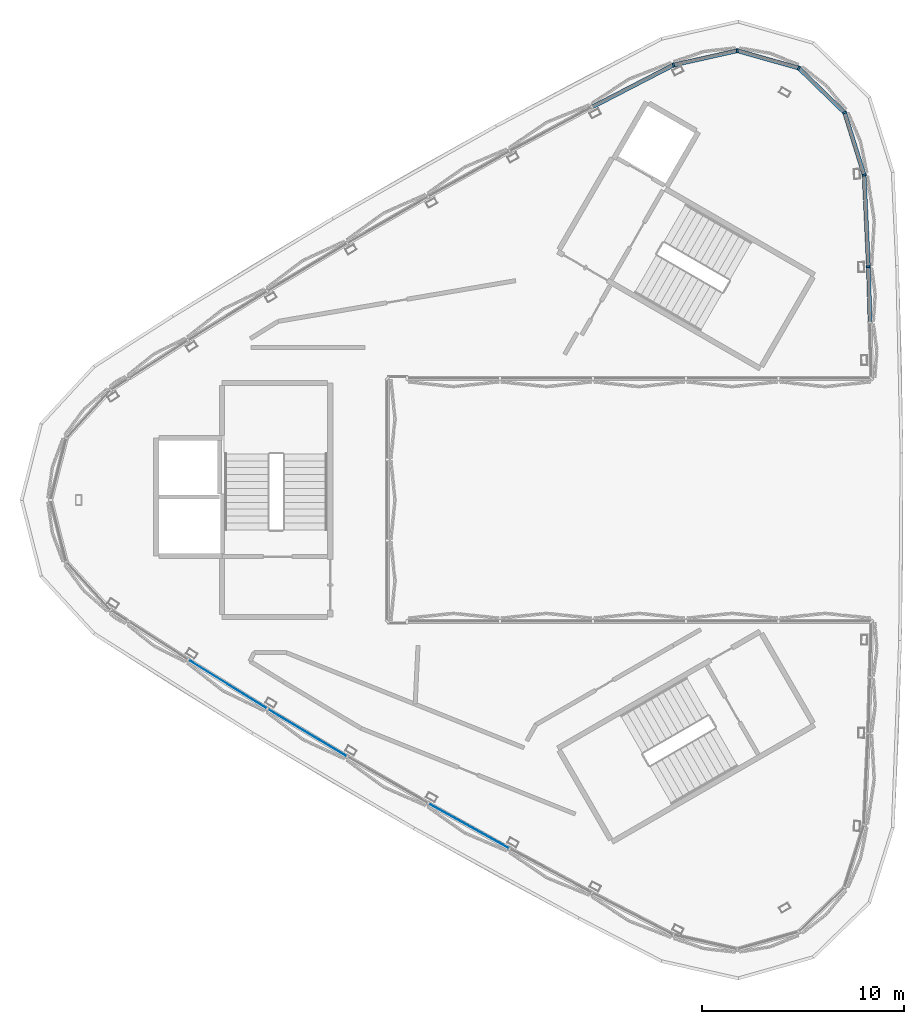
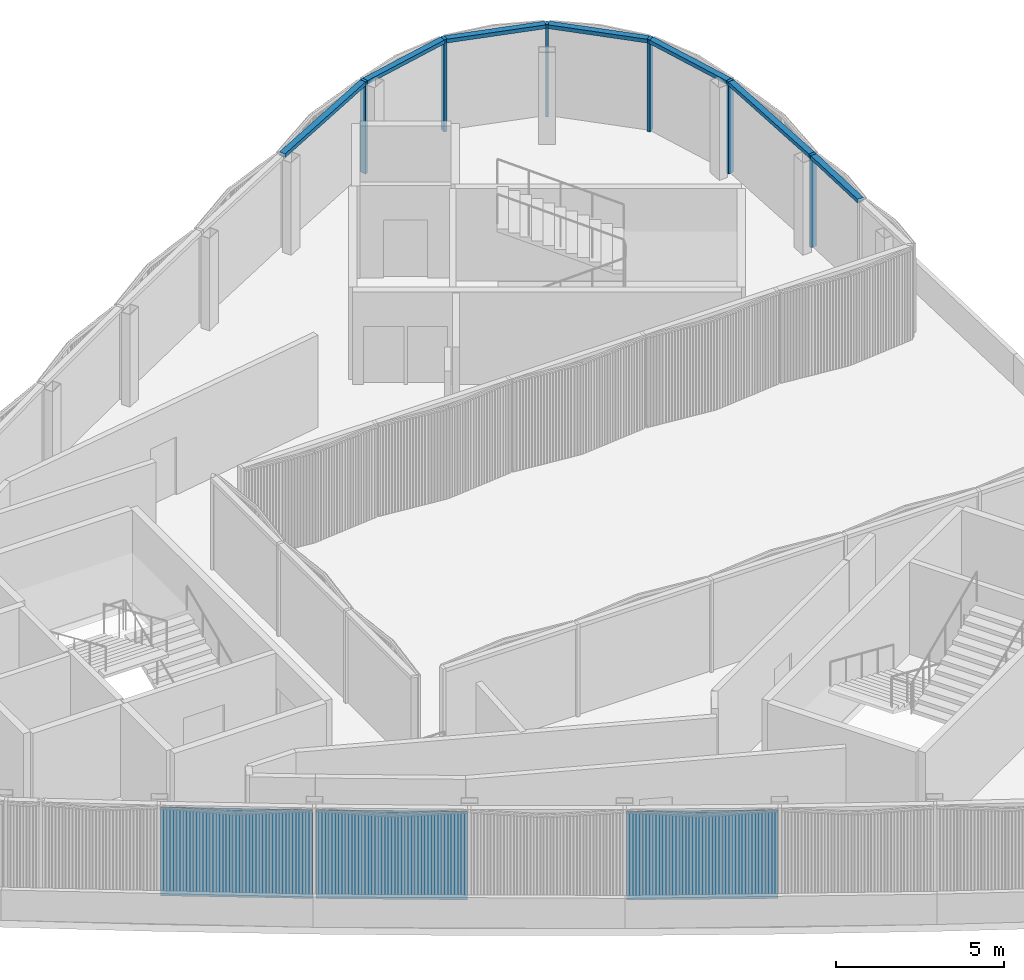
# One storey, part 5 of 16: 13 members, 3 plates, 2 elements without a shape of their own.
"""IFC4 building model written with IfcOpenShell, lengths in metres."""

from ifc_helpers import new_model, si_unit, direction, frame, origin, origin_2d, place, context, subcontext, project, spatial, rectangle, extrude, material, layer, layer_set, material_profile, profile_set, type_object, element, aggregate, save


model = new_model("IFC4")

# Units and contexts
model_context = context("Model", 3, precision=1e-05, world=origin(), true_north=direction((0.0, 1.0)))
body_context = subcontext(model_context, "Body", "Model", "MODEL_VIEW")
ifc_project = project(units=[si_unit("LENGTHUNIT", "METRE"), si_unit("AREAUNIT", "SQUARE_METRE"), si_unit("VOLUMEUNIT", "CUBIC_METRE"), si_unit("PLANEANGLEUNIT", "RADIAN"), si_unit("MASSUNIT", "GRAM", prefix="KILO")], contexts=[model_context])

# Site, building, storey
site_placement = place(None, origin())
site = spatial("IfcSite", under=ifc_project, at=site_placement, CompositionType="ELEMENT")
building_placement = place(site_placement, origin())
building = spatial("IfcBuilding", under=site, at=building_placement, Name="Tamra Quay Hotel Tower", CompositionType="ELEMENT")
storey_placement = place(building_placement, frame((0.0, 0.0, 320.60009765625)))
storey = spatial("IfcBuildingStorey", under=building, at=storey_placement, Name="Roof crown 1", CompositionType="ELEMENT", Elevation=320.60009765625)

# Curtain wall, members
ifc_material_1 = material(Name="Aluminium 6063 anodised dark grey", Category="aluminium")
curtain_wall_type = type_object("IfcCurtainWallType", Name="CW6 CURTAIN WALL", PredefinedType="NOTDEFINED", material=ifc_material_1)
curtain_wall_1_placement = place(storey_placement, origin())
curtain_wall_1 = element("IfcCurtainWall", 1, at=curtain_wall_1_placement, inside=storey, type_object=curtain_wall_type, Name="CW6 lantern A face Roof crown 1", PredefinedType="NOTDEFINED")
ifc_material_profile_1 = material_profile(ifc_material_1, rectangle(XDim=0.199951171875, YDim=0.10009765625, at=origin_2d()), Name="MULLION 100X200")
ifc_profile_set_1 = profile_set([ifc_material_profile_1], Name="Aluminium 6063 anodised dark grey")
member_type_1 = type_object("IfcMemberType", Name="MULLION CW6", PredefinedType="MULLION", material=ifc_profile_set_1)
member_1_placement = place(storey_placement, frame((15.767822265625, 11.528564453125, 0.0), z_axis=(0.0, 0.0, 1.0), x_axis=(0.999287700876, 0.037737128642, 0.0)))
member_1 = element("IfcMember", 2, at=member_1_placement, type_object=member_type_1, Name="CW6 mullion Roof crown 1.A.1", PredefinedType="MULLION", context=body_context, shape_type="SweptSolid", body=[
    extrude(rectangle(XDim=0.199951171875, YDim=0.10009765625, at=origin_2d()), origin(), (0.0, 0.0, 1.0), 3.349853515625),
])
member_2_placement = place(storey_placement, frame((15.555419921875, 16.063720703125, 0.0), z_axis=(0.0, 0.0, 1.0), x_axis=(0.984739916253, 0.174032460585, 0.0)))
member_2 = element("IfcMember", 3, at=member_2_placement, type_object=member_type_1, Name="CW6 mullion Roof crown 1.A.2", PredefinedType="MULLION", context=body_context, shape_type="SweptSolid", body=[
    extrude(rectangle(XDim=0.199951171875, YDim=0.10009765625, at=origin_2d()), origin(), (0.0, 0.0, 1.0), 3.349853515625),
])
member_3_placement = place(storey_placement, frame((14.5908203125, 19.149169921875, 0.0), z_axis=(0.0, 0.0, 1.0), x_axis=(0.851964184595, 0.523600065094, 0.0)))
member_3 = element("IfcMember", 4, at=member_3_placement, type_object=member_type_1, Name="CW6 mullion Roof crown 1.A.3", PredefinedType="MULLION", context=body_context, shape_type="SweptSolid", body=[
    extrude(rectangle(XDim=0.199951171875, YDim=0.10009765625, at=origin_2d()), origin(), (0.0, 0.0, 1.0), 3.349853515625),
])
member_4_placement = place(storey_placement, frame((12.3271484375, 21.351318359375, 0.0), z_axis=(0.0, 0.0, 1.0), x_axis=(0.5, 0.866025403784, 0.0)))
member_4 = element("IfcMember", 5, at=member_4_placement, type_object=member_type_1, Name="CW6 mullion Roof crown 1.A.4", PredefinedType="MULLION", context=body_context, shape_type="SweptSolid", body=[
    extrude(rectangle(XDim=0.199951171875, YDim=0.10009765625, at=origin_2d()), origin(), (0.0, 0.0, 1.0), 3.349853515625),
])
member_5_placement = place(storey_placement, frame((9.288330078125, 22.21044921875, 0.0), z_axis=(0.0, 0.0, 1.0), x_axis=(0.027468865497, 0.999622659521, 0.0)))
member_5 = element("IfcMember", 6, at=member_5_placement, type_object=member_type_1, Name="CW6 mullion Roof crown 1.A.5", PredefinedType="MULLION", context=body_context, shape_type="SweptSolid", body=[
    extrude(rectangle(XDim=0.199951171875, YDim=0.10009765625, at=origin_2d()), origin(), (0.0, 0.0, 1.0), 3.349853515625),
])
member_6_placement = place(storey_placement, frame((6.134033203125, 21.503173828125, 0.0), z_axis=(0.0, 0.0, 1.0), x_axis=(-0.341653426177, 0.939826013888, 0.0)))
member_6 = element("IfcMember", 7, at=member_6_placement, type_object=member_type_1, Name="CW6 mullion Roof crown 1.A.6", PredefinedType="MULLION", context=body_context, shape_type="SweptSolid", body=[
    extrude(rectangle(XDim=0.199951171875, YDim=0.10009765625, at=origin_2d()), origin(), (0.0, 0.0, 1.0), 3.349853515625),
])
ifc_material_profile_2 = material_profile(ifc_material_1, rectangle(XDim=0.199951171875, YDim=0.139892578125, at=origin_2d()), Name="TRANSOM 200X140")
ifc_profile_set_2 = profile_set([ifc_material_profile_2], Name="Aluminium 6063 anodised dark grey")
member_type_2 = type_object("IfcMemberType", Name="TRANSOM CW6", PredefinedType="USERDEFINED", material=ifc_profile_set_2)
member_7_placement = place(storey_placement, frame((15.765625, 11.578369140625, 3.27978515625), z_axis=(-0.046844159112, 0.998902209807, 0.0), x_axis=(-0.998902209807, -0.046844159112, 0.0)))
member_7 = element("IfcMember", 8, at=member_7_placement, type_object=member_type_2, Name="CW6 transom Roof crown 1.A.1", ObjectType="TRANSOM", PredefinedType="USERDEFINED", context=body_context, shape_type="SweptSolid", body=[
    extrude(rectangle(XDim=0.199951171875, YDim=0.139892578125, at=origin_2d()), origin(), (0.0, 0.0, 1.0), 4.4404296875),
])
member_8_placement = place(storey_placement, frame((15.54052734375, 16.111572265625, 3.27978515625), z_axis=(-0.298403676177, 0.954439755063, 0.0), x_axis=(-0.954439755063, -0.298403676177, 0.0)))
member_8 = element("IfcMember", 9, at=member_8_placement, type_object=member_type_2, Name="CW6 transom Roof crown 1.A.2", ObjectType="TRANSOM", PredefinedType="USERDEFINED", context=body_context, shape_type="SweptSolid", body=[
    extrude(rectangle(XDim=0.199951171875, YDim=0.139892578125, at=origin_2d()), origin(), (0.0, 0.0, 1.0), 3.1328125),
])
member_9_placement = place(storey_placement, frame((14.554931640625, 19.18408203125, 3.27978515625), z_axis=(-0.716779852689, 0.697299535909, 0.0), x_axis=(-0.697299535909, -0.716779852689, 0.0)))
member_9 = element("IfcMember", 10, at=member_9_placement, type_object=member_type_2, Name="CW6 transom Roof crown 1.A.3", ObjectType="TRANSOM", PredefinedType="USERDEFINED", context=body_context, shape_type="SweptSolid", body=[
    extrude(rectangle(XDim=0.199951171875, YDim=0.139892578125, at=origin_2d()), origin(), (0.0, 0.0, 1.0), 3.057861328125),
])
member_10_placement = place(storey_placement, frame((12.279052734375, 21.364990234375, 3.27978515625), z_axis=(-0.962273511824, 0.272083973143, 0.0), x_axis=(-0.272083973143, -0.962273511824, 0.0)))
member_10 = element("IfcMember", 11, at=member_10_placement, type_object=member_type_2, Name="CW6 transom Roof crown 1.A.4", ObjectType="TRANSOM", PredefinedType="USERDEFINED", context=body_context, shape_type="SweptSolid", body=[
    extrude(rectangle(XDim=0.199951171875, YDim=0.139892578125, at=origin_2d()), origin(), (0.0, 0.0, 1.0), 3.05810546875),
])
member_11_placement = place(storey_placement, frame((9.239501953125, 22.19970703125, 3.27978515625), z_axis=(-0.97575974355, -0.218844517563, 0.0), x_axis=(0.218844517563, -0.97575974355, 0.0)))
member_11 = element("IfcMember", 12, at=member_11_placement, type_object=member_type_2, Name="CW6 transom Roof crown 1.A.5", ObjectType="TRANSOM", PredefinedType="USERDEFINED", context=body_context, shape_type="SweptSolid", body=[
    extrude(rectangle(XDim=0.199951171875, YDim=0.139892578125, at=origin_2d()), origin(), (0.0, 0.0, 1.0), 3.132568359375),
])
member_12_placement = place(storey_placement, frame((6.089599609375, 21.480224609375, 3.27978515625), z_axis=(-0.888489056093, -0.458897806928, 0.0), x_axis=(0.458897806928, -0.888489056093, 0.0)))
member_12 = element("IfcMember", 13, at=member_12_placement, type_object=member_type_2, Name="CW6 transom Roof crown 1.A.6", ObjectType="TRANSOM", PredefinedType="USERDEFINED", context=body_context, shape_type="SweptSolid", body=[
    extrude(rectangle(XDim=0.199951171875, YDim=0.139892578125, at=origin_2d()), origin(), (0.0, 0.0, 1.0), 4.440185546875),
])
member_13_placement = place(storey_placement, frame((15.845703125, 8.814208984375, 3.27978515625), z_axis=(-0.02866959947, 0.999588942549, 0.0), x_axis=(-0.999588942549, -0.02866959947, 0.0)))
member_13 = element("IfcMember", 14, at=member_13_placement, type_object=member_type_2, Name="CW6 transom Roof crown 1.A.19", ObjectType="TRANSOM", PredefinedType="USERDEFINED", context=body_context, shape_type="SweptSolid", body=[
    extrude(rectangle(XDim=0.199951171875, YDim=0.139892578125, at=origin_2d()), origin(), (0.0, 0.0, 1.0), 2.665283203125),
])
aggregate(curtain_wall_1, [member_1, member_7, member_2, member_8, member_3, member_9, member_4, member_10, member_5, member_11, member_6, member_12, member_13])

# Curtain wall, plates
curtain_wall_2_placement = place(storey_placement, origin())
curtain_wall_2 = element("IfcCurtainWall", 15, at=curtain_wall_2_placement, inside=storey, type_object=curtain_wall_type, Name="CW6 lantern B face Roof crown 1", PredefinedType="NOTDEFINED")
ifc_material_2 = material(Name="Glass clear laminated low-iron", Category="glass")
ifc_layer = layer(ifc_material_2, 0.030029296875)
ifc_layer_set = layer_set([ifc_layer], Name="GLASS PANEL CW6")
plate_type = type_object("IfcPlateType", Name="GLASS PANEL CW6", PredefinedType="CURTAIN_PANEL", material=ifc_layer_set)
plate_1_placement = place(storey_placement, frame((-15.90771484375, -9.10595703125, 0.0), z_axis=(0.0, 0.0, 1.0), x_axis=(0.849981732244, -0.526812162779, 0.0)))
plate_1 = element("IfcPlate", 16, at=plate_1_placement, type_object=plate_type, Name="CW6 glass Roof crown 1.B.7", PredefinedType="CURTAIN_PANEL", context=body_context, shape_type="SweptSolid", body=[
    extrude(rectangle(XDim=4.51220703125, YDim=0.030029296875, at=origin_2d()), origin(), (0.0, 0.0, 1.0), 3.2099609375),
])
plate_2_placement = place(storey_placement, frame((-11.968505859375, -11.505126953125, 0.0), z_axis=(0.0, 0.0, 1.0), x_axis=(0.858103653871, -0.513476503078, 0.0)))
plate_2 = element("IfcPlate", 17, at=plate_2_placement, type_object=plate_type, Name="CW6 glass Roof crown 1.B.8", PredefinedType="CURTAIN_PANEL", context=body_context, shape_type="SweptSolid", body=[
    extrude(rectangle(XDim=4.5126953125, YDim=0.030029296875, at=origin_2d()), origin(), (0.0, 0.0, 1.0), 3.2099609375),
])
plate_3_placement = place(storey_placement, frame((-3.9794921875, -16.11767578125, 0.0), z_axis=(0.0, 0.0, 1.0), x_axis=(0.873735522847, -0.486401311794, 0.0)))
plate_3 = element("IfcPlate", 18, at=plate_3_placement, type_object=plate_type, Name="CW6 glass Roof crown 1.B.10", PredefinedType="CURTAIN_PANEL", context=body_context, shape_type="SweptSolid", body=[
    extrude(rectangle(XDim=4.5126953125, YDim=0.030029296875, at=origin_2d()), origin(), (0.0, 0.0, 1.0), 3.2099609375),
])
aggregate(curtain_wall_2, [plate_1, plate_2, plate_3])

save(model, "model.ifc")
